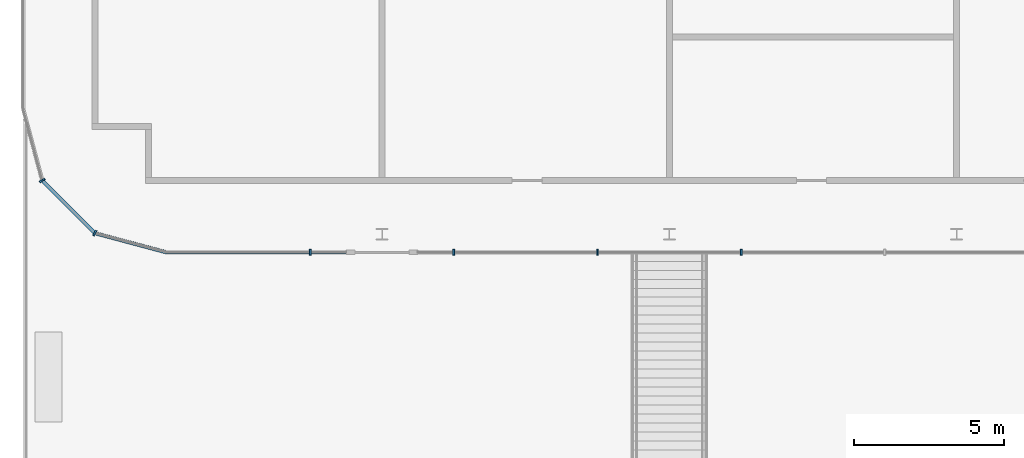
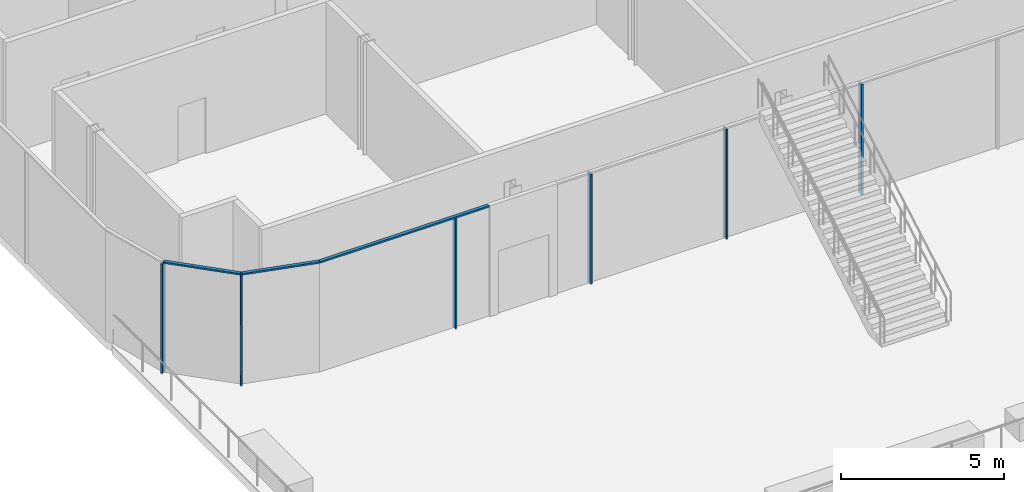
# One storey, part 6 of 45: 9 members, 2 elements without a shape of their own.
"""IFC4 building model written with IfcOpenShell, lengths in metres."""

from ifc_helpers import new_model, si_unit, direction, frame, origin, origin_2d, place, context, subcontext, project, spatial, rectangle, extrude, material, layer, layer_set, material_profile, profile_set, type_object, element, aggregate, save


model = new_model("IFC4")

# Units and contexts
model_context = context("Model", 3, precision=1e-05, world=origin(), true_north=direction((0.0, 1.0)))
body_context = subcontext(model_context, "Body", "Model", "MODEL_VIEW")
ifc_project = project(units=[si_unit("LENGTHUNIT", "METRE"), si_unit("AREAUNIT", "SQUARE_METRE"), si_unit("VOLUMEUNIT", "CUBIC_METRE"), si_unit("PLANEANGLEUNIT", "RADIAN"), si_unit("MASSUNIT", "GRAM", prefix="KILO")], contexts=[model_context])

# Site, building, storey
site_placement = place(None, origin())
site = spatial("IfcSite", under=ifc_project, at=site_placement, CompositionType="ELEMENT")
building_placement = place(site_placement, origin())
building = spatial("IfcBuilding", under=site, at=building_placement, Name="Madar Terraces", CompositionType="ELEMENT")
storey_placement = place(building_placement, frame((0.0, 0.0, 6.0)))
storey = spatial("IfcBuildingStorey", under=building, at=storey_placement, Name="L01", CompositionType="ELEMENT", Elevation=6.0)

# Curtain wall, members
ifc_material_1 = material(Name="Glass, clear low-iron, with black aluminium frame", Category="aluminium")
ifc_layer = layer(ifc_material_1, 0.199951171875)
ifc_layer_set = layer_set([ifc_layer], Name="Facade curtain wall, shopfront glazing")
curtain_wall_type = type_object("IfcCurtainWallType", Name="Facade curtain wall, shopfront glazing", PredefinedType="NOTDEFINED", material=ifc_layer_set)
curtain_wall_1_placement = place(storey_placement, origin())
curtain_wall_1 = element("IfcCurtainWall", 1, at=curtain_wall_1_placement, inside=storey, type_object=curtain_wall_type, Name="Outer skin curtain wall south bay 1", PredefinedType="NOTDEFINED")
ifc_material_2 = material(Name="Aluminium, black anodised", Category="aluminium")
ifc_material_profile_1 = material_profile(ifc_material_2, rectangle(XDim=0.199951171875, YDim=0.06005859375, at=origin_2d()), Name="Facade mullion 60x200")
ifc_profile_set_1 = profile_set([ifc_material_profile_1], Name="Aluminium, black anodised")
member_type_1 = type_object("IfcMemberType", Name="Facade mullion 60x200", PredefinedType="MULLION", material=ifc_profile_set_1)
member_1_placement = place(storey_placement, frame((2.39990234375, -38.39990234375, 0.0), z_axis=(0.0, 0.0, 1.0), x_axis=(0.0, 1.0, 0.0)))
member_1 = element("IfcMember", 2, at=member_1_placement, type_object=member_type_1, Name="Mullion 1", PredefinedType="MULLION", context=body_context, shape_type="SweptSolid", body=[
    extrude(rectangle(XDim=0.199951171875, YDim=0.06005859375, at=origin_2d()), origin(), (0.0, 0.0, 1.0), 4.139892578125),
])
member_2_placement = place(storey_placement, frame((7.199951171875, -38.39990234375, 0.0), z_axis=(0.0, 0.0, 1.0), x_axis=(0.0, 1.0, 0.0)))
member_2 = element("IfcMember", 3, at=member_2_placement, type_object=member_type_1, Name="Mullion 2", PredefinedType="MULLION", context=body_context, shape_type="SweptSolid", body=[
    extrude(rectangle(XDim=0.199951171875, YDim=0.06005859375, at=origin_2d()), origin(), (0.0, 0.0, 1.0), 4.139892578125),
])
member_3_placement = place(storey_placement, frame((12.0, -38.39990234375, 0.0), z_axis=(0.0, 0.0, 1.0), x_axis=(0.0, 1.0, 0.0)))
member_3 = element("IfcMember", 4, at=member_3_placement, type_object=member_type_1, Name="Mullion 3", PredefinedType="MULLION", context=body_context, shape_type="SweptSolid", body=[
    extrude(rectangle(XDim=0.199951171875, YDim=0.06005859375, at=origin_2d()), origin(), (0.0, 0.0, 1.0), 4.139892578125),
])
member_4_placement = place(storey_placement, frame((16.800048828125, -38.39990234375, 0.0), z_axis=(0.0, 0.0, 1.0), x_axis=(0.0, 1.0, 0.0)))
member_4 = element("IfcMember", 5, at=member_4_placement, type_object=member_type_1, Name="Mullion 4", PredefinedType="MULLION", context=body_context, shape_type="SweptSolid", body=[
    extrude(rectangle(XDim=0.199951171875, YDim=0.06005859375, at=origin_2d()), origin(), (0.0, 0.0, 1.0), 4.139892578125),
])

curtain_wall_2_placement = place(storey_placement, origin())
curtain_wall_2 = element("IfcCurtainWall", 6, at=curtain_wall_2_placement, inside=storey, type_object=curtain_wall_type, Name="Outer skin curtain wall south-west corner", PredefinedType="NOTDEFINED")
member_5_placement = place(storey_placement, frame((-6.556884765625, -36.0, 0.0), z_axis=(0.0, 0.0, 1.0), x_axis=(0.866025409797, 0.499999989586, 0.0)))
member_5 = element("IfcMember", 7, at=member_5_placement, type_object=member_type_1, Name="Mullion 1", PredefinedType="MULLION", context=body_context, shape_type="SweptSolid", body=[
    extrude(rectangle(XDim=0.199951171875, YDim=0.06005859375, at=origin_2d()), origin(), (0.0, 0.0, 1.0), 4.139892578125),
])
member_6_placement = place(storey_placement, frame((-4.800048828125, -37.7568359375, 0.0), z_axis=(0.0, 0.0, 1.0), x_axis=(0.499999989586, 0.866025409797, 0.0)))
member_6 = element("IfcMember", 8, at=member_6_placement, type_object=member_type_1, Name="Mullion 2", PredefinedType="MULLION", context=body_context, shape_type="SweptSolid", body=[
    extrude(rectangle(XDim=0.199951171875, YDim=0.06005859375, at=origin_2d()), origin(), (0.0, 0.0, 1.0), 4.139892578125),
])

# Member
ifc_material_3 = material(Name="Aluminium, black anodised", Category="aluminium")
ifc_material_profile_2 = material_profile(ifc_material_3, rectangle(XDim=0.1201171875, YDim=0.06005859375, at=origin_2d()), Name="Facade transom 60x120")
ifc_profile_set_2 = profile_set([ifc_material_profile_2], Name="Aluminium, black anodised")
member_type_2 = type_object("IfcMemberType", Name="Facade transom 60x120", PredefinedType="USERDEFINED", material=ifc_profile_set_2)
member_7_placement = place(storey_placement, frame((-2.39990234375, -38.39990234375, 4.169921875), z_axis=(1.0, 0.0, 0.0), x_axis=(0.0, 1.0, 0.0)))
member_7 = element("IfcMember", 9, at=member_7_placement, type_object=member_type_2, Name="Transom 1", ObjectType="TRANSOM", PredefinedType="USERDEFINED", context=body_context, shape_type="SweptSolid", body=[
    extrude(rectangle(XDim=0.1201171875, YDim=0.06005859375, at=origin_2d()), origin(), (0.0, 0.0, 1.0), 6.0),
])

aggregate(curtain_wall_1, [member_1, member_7, member_2, member_3, member_4])

member_8_placement = place(storey_placement, frame((-6.53564453125, -36.021240234375, 4.169921875), z_axis=(0.707106781187, -0.707106781187, 0.0), x_axis=(0.707106781187, 0.707106781187, 0.0)))
member_8 = element("IfcMember", 10, at=member_8_placement, type_object=member_type_2, Name="Transom 2", ObjectType="TRANSOM", PredefinedType="USERDEFINED", context=body_context, shape_type="SweptSolid", body=[
    extrude(rectangle(XDim=0.1201171875, YDim=0.06005859375, at=origin_2d()), origin(), (0.0, 0.0, 1.0), 2.424560546875),
])

member_9_placement = place(storey_placement, frame((-4.77099609375, -37.7646484375, 4.169921875), z_axis=(0.965933846022, -0.258789113195, 0.0), x_axis=(0.258789113195, 0.965933846022, 0.0)))
member_9 = element("IfcMember", 11, at=member_9_placement, type_object=member_type_2, Name="Transom 3", ObjectType="TRANSOM", PredefinedType="USERDEFINED", context=body_context, shape_type="SweptSolid", body=[
    extrude(rectangle(XDim=0.1201171875, YDim=0.06005859375, at=origin_2d()), origin(), (0.0, 0.0, 1.0), 2.454833984375),
])

aggregate(curtain_wall_2, [member_5, member_6, member_8, member_9])

save(model, "model.ifc")
